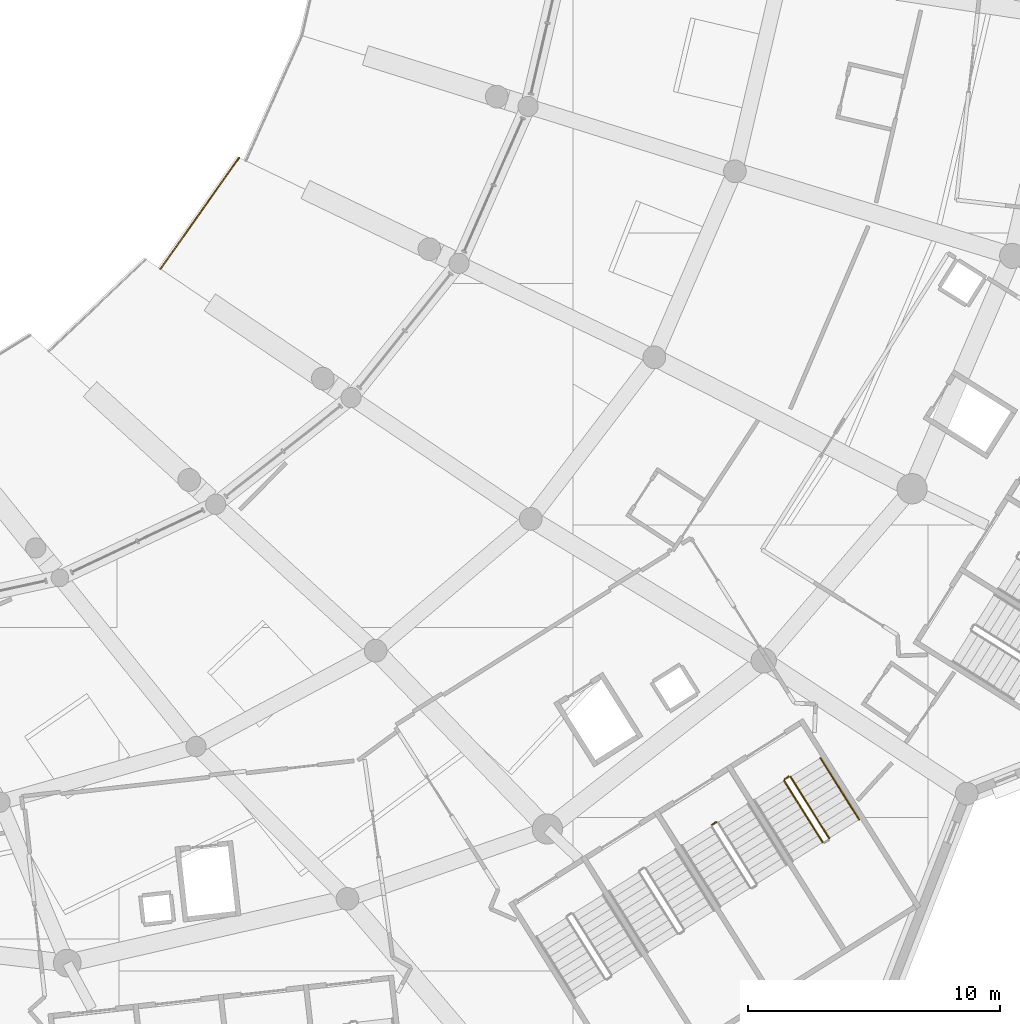
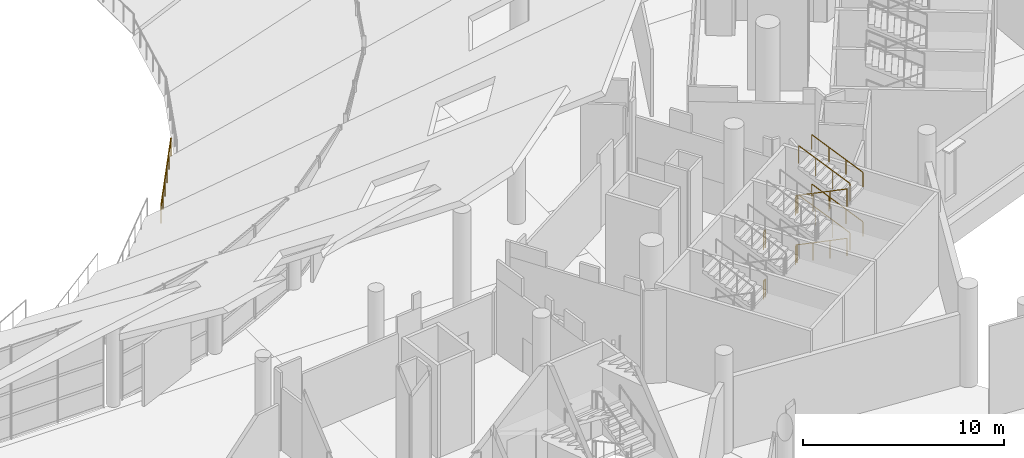
# One storey, part 220 of 249: 11 railings.
"""IFC4 building model written with IfcOpenShell, lengths in metres."""

from ifc_helpers import new_model, si_unit, direction, frame, origin, origin_2d, place, context, subcontext, project, spatial, circle, extrude, material, type_object, element, save


model = new_model("IFC4")

# Units and contexts
model_context = context("Model", 3, precision=1e-05, world=origin(), true_north=direction((0.0, 1.0)))
body_context = subcontext(model_context, "Body", "Model", "MODEL_VIEW")
ifc_project = project(units=[si_unit("LENGTHUNIT", "METRE"), si_unit("AREAUNIT", "SQUARE_METRE"), si_unit("VOLUMEUNIT", "CUBIC_METRE"), si_unit("PLANEANGLEUNIT", "RADIAN"), si_unit("MASSUNIT", "GRAM", prefix="KILO")], contexts=[model_context])

# Site, building, storey
site_placement = place(None, origin())
site = spatial("IfcSite", under=ifc_project, at=site_placement, CompositionType="ELEMENT")
building_placement = place(site_placement, origin())
building = spatial("IfcBuilding", under=site, at=building_placement, Name="Meseta Stadium", CompositionType="ELEMENT")
storey_placement = place(building_placement, frame((0.0, 0.0, 12.0)))
storey = spatial("IfcBuildingStorey", under=building, at=storey_placement, Name="L02", CompositionType="ELEMENT", Elevation=12.0)

# Railings
ifc_material_1 = material(Name="Steel S355", Category="steel")
railing_type_1 = type_object("IfcRailingType", Name="Stair guard 1100", PredefinedType="GUARDRAIL", material=ifc_material_1)
for number, where, name in (
    (1, (70.2587890625, -85.600341796875, 3.0), "ST107 L02 guard 4"),
    (2, (70.2587890625, -85.600341796875, 0.0), "ST107 L02 guard 8"),
):
    element("IfcRailing", number, at=place(storey_placement, frame(where)), inside=storey, type_object=railing_type_1, Name=name, PredefinedType="GUARDRAIL", context=body_context, shape_type="SweptSolid", body=[
        extrude(circle(Radius=0.02392578125, at=origin_2d()), frame((0.0, 0.0, 1.076171875), z_axis=(0.846416356806, 0.532521690573, 0.0), x_axis=(-0.532521690573, 0.846416356806, 0.0)), (0.0, 0.0, 1.0), 0.199951171875),
        extrude(circle(Radius=0.02099609375, at=origin_2d()), origin(), (0.0, 0.0, 1.0), 1.052001953125),
        extrude(circle(Radius=0.02099609375, at=origin_2d()), frame((0.169189453125, 0.1064453125, 0.0)), (0.0, 0.0, 1.0), 1.052001953125),
    ])
railing_1_placement = place(storey_placement, frame((73.121826171875, -83.8603515625, 0.14990234375)))
element("IfcRailing", 3, at=railing_1_placement, inside=storey, type_object=railing_type_1, Name="ST108 L02 guard 1", PredefinedType="GUARDRAIL", context=body_context, shape_type="SweptSolid", body=[
    extrude(circle(Radius=0.02392578125, at=origin_2d()), frame((0.0, 0.0, 1.076171875), z_axis=(0.481731036161, -0.766655447606, 0.424469826318), x_axis=(0.846719477248, 0.53203959143, 0.0)), (0.0, 0.0, 1.0), 3.1806640625),
    extrude(circle(Radius=0.02099609375, at=origin_2d()), origin(), (0.0, 0.0, 1.0), 1.052001953125),
    extrude(circle(Radius=0.02099609375, at=origin_2d()), frame((0.5107421875, -0.812744140625, 0.449951171875)), (0.0, 0.0, 1.0), 1.052001953125),
    extrude(circle(Radius=0.02099609375, at=origin_2d()), frame((1.021484375, -1.625732421875, 0.900146484375)), (0.0, 0.0, 1.0), 1.052001953125),
    extrude(circle(Radius=0.02099609375, at=origin_2d()), frame((1.5322265625, -2.4384765625, 1.35009765625)), (0.0, 0.0, 1.0), 1.052001953125),
])
railing_2_placement = place(storey_placement, frame((74.908203125, -86.13916015625, 1.64990234375)))
element("IfcRailing", 4, at=railing_2_placement, inside=storey, type_object=railing_type_1, Name="ST108 L02 guard 3", PredefinedType="GUARDRAIL", context=body_context, shape_type="SweptSolid", body=[
    extrude(circle(Radius=0.02392578125, at=origin_2d()), frame((0.0, 0.0, 1.076171875), z_axis=(-0.481731036161, 0.766655447606, 0.424469826318), x_axis=(-0.846719477248, -0.53203959143, 0.0)), (0.0, 0.0, 1.0), 3.1806640625),
    extrude(circle(Radius=0.02099609375, at=origin_2d()), origin(), (0.0, 0.0, 1.0), 1.052001953125),
    extrude(circle(Radius=0.02099609375, at=origin_2d()), frame((-0.5107421875, 0.812744140625, 0.449951171875)), (0.0, 0.0, 1.0), 1.052001953125),
    extrude(circle(Radius=0.02099609375, at=origin_2d()), frame((-1.021484375, 1.625732421875, 0.900146484375)), (0.0, 0.0, 1.0), 1.052001953125),
    extrude(circle(Radius=0.02099609375, at=origin_2d()), frame((-1.5322265625, 2.4384765625, 1.35009765625)), (0.0, 0.0, 1.0), 1.052001953125),
])
railing_3_placement = place(storey_placement, frame((73.1376953125, -83.791259765625, 3.0)))
element("IfcRailing", 5, at=railing_3_placement, inside=storey, type_object=railing_type_1, Name="ST108 L02 guard 4", PredefinedType="GUARDRAIL", context=body_context, shape_type="SweptSolid", body=[
    extrude(circle(Radius=0.02392578125, at=origin_2d()), frame((0.0, 0.0, 1.076171875), z_axis=(0.846416356806, 0.532521690573, 0.0), x_axis=(-0.532521690573, 0.846416356806, 0.0)), (0.0, 0.0, 1.0), 0.199951171875),
    extrude(circle(Radius=0.02099609375, at=origin_2d()), origin(), (0.0, 0.0, 1.0), 1.052001953125),
    extrude(circle(Radius=0.02099609375, at=origin_2d()), frame((0.169189453125, 0.1064453125, 0.0)), (0.0, 0.0, 1.0), 1.052001953125),
])
railing_4_placement = place(storey_placement, frame((73.121826171875, -83.8603515625, 3.14990234375)))
element("IfcRailing", 6, at=railing_4_placement, inside=storey, type_object=railing_type_1, Name="ST108 L02 guard 5", PredefinedType="GUARDRAIL", context=body_context, shape_type="SweptSolid", body=[
    extrude(circle(Radius=0.02392578125, at=origin_2d()), frame((0.0, 0.0, 1.076171875), z_axis=(0.481731036161, -0.766655447606, 0.424469826318), x_axis=(0.846719477248, 0.53203959143, 0.0)), (0.0, 0.0, 1.0), 3.1806640625),
    extrude(circle(Radius=0.02099609375, at=origin_2d()), origin(), (0.0, 0.0, 1.0), 1.052001953125),
    extrude(circle(Radius=0.02099609375, at=origin_2d()), frame((0.5107421875, -0.812744140625, 0.449951171875)), (0.0, 0.0, 1.0), 1.052001953125),
    extrude(circle(Radius=0.02099609375, at=origin_2d()), frame((1.021484375, -1.625732421875, 0.900146484375)), (0.0, 0.0, 1.0), 1.052001953125),
    extrude(circle(Radius=0.02099609375, at=origin_2d()), frame((1.5322265625, -2.4384765625, 1.35009765625)), (0.0, 0.0, 1.0), 1.052001953125),
])
railing_5_placement = place(storey_placement, frame((74.908203125, -86.13916015625, 4.64990234375)))
element("IfcRailing", 7, at=railing_5_placement, inside=storey, type_object=railing_type_1, Name="ST108 L02 guard 7", PredefinedType="GUARDRAIL", context=body_context, shape_type="SweptSolid", body=[
    extrude(circle(Radius=0.02392578125, at=origin_2d()), frame((0.0, 0.0, 1.076171875), z_axis=(-0.481731036161, 0.766655447606, 0.424469826318), x_axis=(-0.846719477248, -0.53203959143, 0.0)), (0.0, 0.0, 1.0), 3.1806640625),
    extrude(circle(Radius=0.02099609375, at=origin_2d()), origin(), (0.0, 0.0, 1.0), 1.052001953125),
    extrude(circle(Radius=0.02099609375, at=origin_2d()), frame((-0.5107421875, 0.812744140625, 0.449951171875)), (0.0, 0.0, 1.0), 1.052001953125),
    extrude(circle(Radius=0.02099609375, at=origin_2d()), frame((-1.021484375, 1.625732421875, 0.900146484375)), (0.0, 0.0, 1.0), 1.052001953125),
    extrude(circle(Radius=0.02099609375, at=origin_2d()), frame((-1.5322265625, 2.4384765625, 1.35009765625)), (0.0, 0.0, 1.0), 1.052001953125),
])
railing_6_placement = place(storey_placement, frame((73.1376953125, -83.791259765625, 0.0)))
element("IfcRailing", 8, at=railing_6_placement, inside=storey, type_object=railing_type_1, Name="ST108 L02 guard 8", PredefinedType="GUARDRAIL", context=body_context, shape_type="SweptSolid", body=[
    extrude(circle(Radius=0.02392578125, at=origin_2d()), frame((0.0, 0.0, 1.076171875), z_axis=(0.846416356806, 0.532521690573, 0.0), x_axis=(-0.532521690573, 0.846416356806, 0.0)), (0.0, 0.0, 1.0), 0.199951171875),
    extrude(circle(Radius=0.02099609375, at=origin_2d()), origin(), (0.0, 0.0, 1.0), 1.052001953125),
    extrude(circle(Radius=0.02099609375, at=origin_2d()), frame((0.169189453125, 0.1064453125, 0.0)), (0.0, 0.0, 1.0), 1.052001953125),
])
ifc_material_2 = material(Name="Steel S355", Category="steel")
railing_type_2 = type_object("IfcRailingType", Name="Stair handrail 900", PredefinedType="HANDRAIL", material=ifc_material_2)
for number, where, name in (
    (9, (76.093505859375, -85.394287109375, 1.64990234375), "ST108 L02 handrail 2"),
    (10, (76.093505859375, -85.394287109375, 4.64990234375), "ST108 L02 handrail 4"),
):
    element("IfcRailing", number, at=place(storey_placement, frame(where)), inside=storey, type_object=railing_type_2, Name=name, PredefinedType="HANDRAIL", context=body_context, shape_type="SweptSolid", body=[
        extrude(circle(Radius=0.02392578125, at=origin_2d()), frame((0.0, 0.0, 0.8759765625), z_axis=(-0.481731036161, 0.766655447606, 0.424469826318), x_axis=(-0.846719477248, -0.53203959143, 0.0)), (0.0, 0.0, 1.0), 3.1806640625),
        extrude(circle(Radius=0.02099609375, at=origin_2d()), origin(), (0.0, 0.0, 1.0), 0.851806640625),
        extrude(circle(Radius=0.02099609375, at=origin_2d()), frame((-0.5107421875, 0.812744140625, 0.449951171875)), (0.0, 0.0, 1.0), 0.851806640625),
        extrude(circle(Radius=0.02099609375, at=origin_2d()), frame((-1.021484375, 1.625732421875, 0.900146484375)), (0.0, 0.0, 1.0), 0.851806640625),
        extrude(circle(Radius=0.02099609375, at=origin_2d()), frame((-1.5322265625, 2.4384765625, 1.35009765625)), (0.0, 0.0, 1.0), 0.851806640625),
    ])
ifc_material_3 = material(Name="Steel S355", Category="steel")
railing_type_3 = type_object("IfcRailingType", Name="Stand edge guard 1100", PredefinedType="GUARDRAIL", material=ifc_material_3)
railing_7_placement = place(storey_placement, frame((48.37890625, -63.5537109375, -1.09814453125)))
element("IfcRailing", 11, at=railing_7_placement, inside=storey, type_object=railing_type_3, Name="Stand upper tier front guard bay 54", PredefinedType="GUARDRAIL", context=body_context, shape_type="SweptSolid", body=[
    extrude(circle(Radius=0.02490234375, at=origin_2d()), frame((0.0, 0.0, 1.0751953125), z_axis=(0.576195436545, 0.815161782267, 0.059245992576), x_axis=(-0.81659620423, 0.577209354773, 0.0)), (0.0, 0.0, 1.0), 5.4189453125),
    extrude(circle(Radius=0.02001953125, at=origin_2d()), origin(), (0.0, 0.0, 1.0), 1.050048828125),
    extrude(circle(Radius=0.02001953125, at=origin_2d()), frame((0.62451171875, 0.883544921875, 0.064208984375)), (0.0, 0.0, 1.0), 1.050048828125),
    extrude(circle(Radius=0.02001953125, at=origin_2d()), frame((1.2490234375, 1.766845703125, 0.12841796875)), (0.0, 0.0, 1.0), 1.050048828125),
    extrude(circle(Radius=0.02001953125, at=origin_2d()), frame((1.873291015625, 2.650390625, 0.192626953125)), (0.0, 0.0, 1.0), 1.050048828125),
    extrude(circle(Radius=0.02001953125, at=origin_2d()), frame((2.497802734375, 3.53369140625, 0.2568359375)), (0.0, 0.0, 1.0), 1.050048828125),
    extrude(circle(Radius=0.02001953125, at=origin_2d()), frame((3.122314453125, 4.417236328125, 0.321044921875)), (0.0, 0.0, 1.0), 1.050048828125),
])

save(model, "model.ifc")
